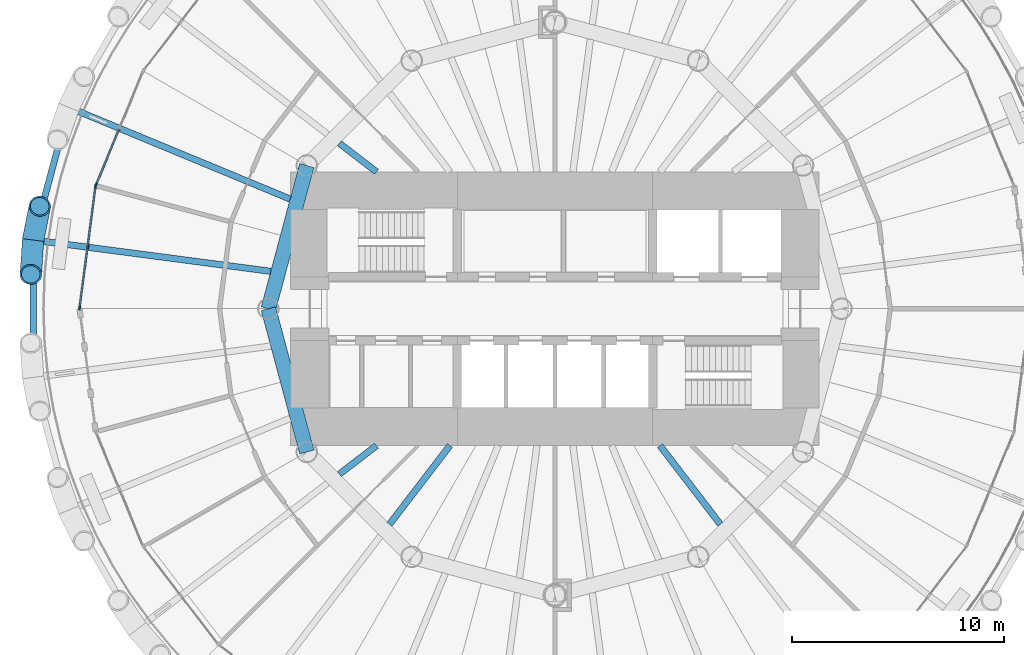
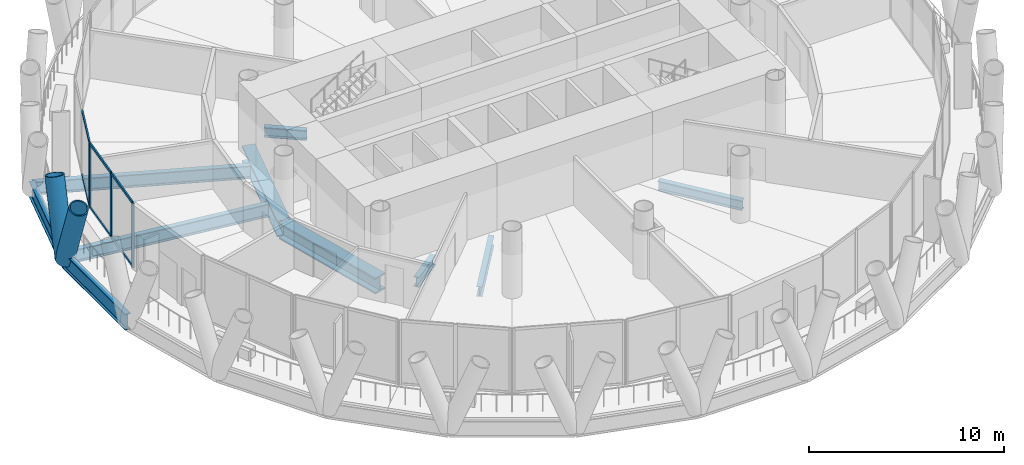
# One storey, part 3 of 14: 12 members, 10 beams, 2 elements without a shape of their own.
"""IFC4 building model written with IfcOpenShell, lengths in metres."""

from ifc_helpers import new_model, si_unit, direction, frame, origin, origin_2d, place, context, subcontext, project, spatial, rectangle, hollow_circle, i_section, extrude, material, material_profile, profile_set, type_object, element, aggregate, save


model = new_model("IFC4")

# Units and contexts
model_context = context("Model", 3, precision=1e-05, world=origin(), true_north=direction((0.0, 1.0)))
body_context = subcontext(model_context, "Body", "Model", "MODEL_VIEW")
ifc_project = project(units=[si_unit("LENGTHUNIT", "METRE"), si_unit("AREAUNIT", "SQUARE_METRE"), si_unit("VOLUMEUNIT", "CUBIC_METRE"), si_unit("PLANEANGLEUNIT", "RADIAN"), si_unit("MASSUNIT", "GRAM", prefix="KILO")], contexts=[model_context])

# Site, building, storey
site_placement = place(None, origin())
site = spatial("IfcSite", under=ifc_project, at=site_placement, CompositionType="ELEMENT")
building_placement = place(site_placement, origin())
building = spatial("IfcBuilding", under=site, at=building_placement, Name="Qaws Media Tower", CompositionType="ELEMENT")
storey_placement = place(building_placement, frame((0.0, 0.0, 152.0)))
storey = spatial("IfcBuildingStorey", under=building, at=storey_placement, Name="L34", CompositionType="ELEMENT", Elevation=152.0)

# Curtain wall, member
ifc_material_1 = material(Name="Aluminium and clear glass", Category="aluminium")
curtain_wall_type = type_object("IfcCurtainWallType", Name="Unitised curtain wall CW-B", PredefinedType="NOTDEFINED", material=ifc_material_1)
curtain_wall_1_placement = place(storey_placement, origin())
curtain_wall_1 = element("IfcCurtainWall", 1, at=curtain_wall_1_placement, inside=storey, type_object=curtain_wall_type, Name="CWB curtain wall L34-11", PredefinedType="NOTDEFINED")
ifc_material_2 = material(Name="Aluminium mullion", Category="aluminium")
ifc_material_profile_1 = material_profile(ifc_material_2, rectangle(XDim=0.080078125, YDim=0.199951171875, at=origin_2d()), Name="80x200")
ifc_profile_set_1 = profile_set([ifc_material_profile_1], Name="Aluminium mullion")
member_type_1 = type_object("IfcMemberType", Name="Curtain wall mullion 80x200", PredefinedType="MULLION", material=ifc_profile_set_1)
member_1_placement = place(storey_placement, frame((38.378662109375, 55.83447265625, 0.0), z_axis=(0.0, 0.0, 1.0), x_axis=(0.923879490353, -0.382683534144, 0.0)))
member_1 = element("IfcMember", 2, at=member_1_placement, type_object=member_type_1, Name="CWB mullion 3", PredefinedType="MULLION", context=body_context, shape_type="SweptSolid", body=[
    extrude(rectangle(XDim=0.080078125, YDim=0.199951171875, at=origin_2d()), origin(), (0.0, 0.0, 1.0), 4.0400390625),
])

# Curtain wall, members
curtain_wall_2_placement = place(storey_placement, origin())
curtain_wall_2 = element("IfcCurtainWall", 3, at=curtain_wall_2_placement, inside=storey, type_object=curtain_wall_type, Name="CWB curtain wall L34-12", PredefinedType="NOTDEFINED")
member_2_placement = place(storey_placement, frame((38.358154296875, 55.7578125, 0.0), z_axis=(0.0, 0.0, 1.0), x_axis=(0.991444873377, -0.130526101045, 0.0)))
member_2 = element("IfcMember", 4, at=member_2_placement, type_object=member_type_1, Name="CWB mullion 1", PredefinedType="MULLION", context=body_context, shape_type="SweptSolid", body=[
    extrude(rectangle(XDim=0.080078125, YDim=0.199951171875, at=origin_2d()), origin(), (0.0, 0.0, 1.0), 4.0400390625),
])
member_3_placement = place(storey_placement, frame((37.981689453125, 52.898681640625, 0.0), z_axis=(0.0, 0.0, 1.0), x_axis=(0.991444873377, -0.130526101045, 0.0)))
member_3 = element("IfcMember", 5, at=member_3_placement, type_object=member_type_1, Name="CWB mullion 2", PredefinedType="MULLION", context=body_context, shape_type="SweptSolid", body=[
    extrude(rectangle(XDim=0.080078125, YDim=0.199951171875, at=origin_2d()), origin(), (0.0, 0.0, 1.0), 4.0400390625),
])
member_4_placement = place(storey_placement, frame((37.605224609375, 50.03955078125, 0.0), z_axis=(0.0, 0.0, 1.0), x_axis=(0.991444873377, -0.130526101045, 0.0)))
member_4 = element("IfcMember", 6, at=member_4_placement, type_object=member_type_1, Name="CWB mullion 3", PredefinedType="MULLION", context=body_context, shape_type="SweptSolid", body=[
    extrude(rectangle(XDim=0.080078125, YDim=0.199951171875, at=origin_2d()), origin(), (0.0, 0.0, 1.0), 4.0400390625),
])

# Member
ifc_material_3 = material(Name="Aluminium transom", Category="aluminium")
ifc_material_profile_2 = material_profile(ifc_material_3, rectangle(XDim=0.080078125, YDim=0.159912109375, at=origin_2d()), Name="80x160")
ifc_profile_set_2 = profile_set([ifc_material_profile_2], Name="Aluminium transom")
member_type_2 = type_object("IfcMemberType", Name="Curtain wall transom 80x160", PredefinedType="USERDEFINED", material=ifc_profile_set_2)
member_5_placement = place(storey_placement, frame((39.466796875, 58.4619140625, 0.0400390625), z_axis=(-0.382667074186, -0.923886308121, 0.0), x_axis=(0.923886308121, -0.382667074186, 0.0)))
member_5 = element("IfcMember", 7, at=member_5_placement, type_object=member_type_2, Name="CWB transom 2.1", ObjectType="TRANSOM", PredefinedType="USERDEFINED", context=body_context, shape_type="SweptSolid", body=[
    extrude(rectangle(XDim=0.080078125, YDim=0.159912109375, at=origin_2d()), origin(), (0.0, 0.0, 1.0), 2.803955078125),
])

member_6_placement = place(storey_placement, frame((39.466796875, 58.4619140625, 4.0), z_axis=(-0.382667074186, -0.923886308121, 0.0), x_axis=(0.923886308121, -0.382667074186, 0.0)))
member_6 = element("IfcMember", 8, at=member_6_placement, type_object=member_type_2, Name="CWB transom 2.2", ObjectType="TRANSOM", PredefinedType="USERDEFINED", context=body_context, shape_type="SweptSolid", body=[
    extrude(rectangle(XDim=0.080078125, YDim=0.159912109375, at=origin_2d()), origin(), (0.0, 0.0, 1.0), 2.803955078125),
])

aggregate(curtain_wall_1, [member_1, member_5, member_6])

member_7_placement = place(storey_placement, frame((38.352783203125, 55.71826171875, 0.0400390625), z_axis=(-0.130526591291, -0.991444808835, 0.0), x_axis=(0.991444808835, -0.130526591291, 0.0)))
member_7 = element("IfcMember", 9, at=member_7_placement, type_object=member_type_2, Name="CWB transom 1.1", ObjectType="TRANSOM", PredefinedType="USERDEFINED", context=body_context, shape_type="SweptSolid", body=[
    extrude(rectangle(XDim=0.080078125, YDim=0.159912109375, at=origin_2d()), origin(), (0.0, 0.0, 1.0), 2.8037109375),
])

member_8_placement = place(storey_placement, frame((38.352783203125, 55.71826171875, 4.0), z_axis=(-0.130526591291, -0.991444808835, 0.0), x_axis=(0.991444808835, -0.130526591291, 0.0)))
member_8 = element("IfcMember", 10, at=member_8_placement, type_object=member_type_2, Name="CWB transom 1.2", ObjectType="TRANSOM", PredefinedType="USERDEFINED", context=body_context, shape_type="SweptSolid", body=[
    extrude(rectangle(XDim=0.080078125, YDim=0.159912109375, at=origin_2d()), origin(), (0.0, 0.0, 1.0), 2.8037109375),
])

member_9_placement = place(storey_placement, frame((37.976318359375, 52.859130859375, 0.0400390625), z_axis=(-0.130526591291, -0.991444808835, 0.0), x_axis=(0.991444808835, -0.130526591291, 0.0)))
member_9 = element("IfcMember", 11, at=member_9_placement, type_object=member_type_2, Name="CWB transom 2.1", ObjectType="TRANSOM", PredefinedType="USERDEFINED", context=body_context, shape_type="SweptSolid", body=[
    extrude(rectangle(XDim=0.080078125, YDim=0.159912109375, at=origin_2d()), origin(), (0.0, 0.0, 1.0), 2.8037109375),
])

member_10_placement = place(storey_placement, frame((37.976318359375, 52.859130859375, 4.0), z_axis=(-0.130526591291, -0.991444808835, 0.0), x_axis=(0.991444808835, -0.130526591291, 0.0)))
member_10 = element("IfcMember", 12, at=member_10_placement, type_object=member_type_2, Name="CWB transom 2.2", ObjectType="TRANSOM", PredefinedType="USERDEFINED", context=body_context, shape_type="SweptSolid", body=[
    extrude(rectangle(XDim=0.080078125, YDim=0.159912109375, at=origin_2d()), origin(), (0.0, 0.0, 1.0), 2.8037109375),
])

aggregate(curtain_wall_2, [member_2, member_3, member_4, member_7, member_8, member_9, member_10])

# Members
ifc_material_4 = material(Name="Steel S460", Category="steel")
ifc_material_profile_3 = material_profile(ifc_material_4, hollow_circle(Radius=0.508056640625, WallThickness=0.070068359375, at=origin_2d()), Name="CHS 1016x70")
ifc_profile_set_3 = profile_set([ifc_material_profile_3], Name="Steel S460")
member_type_3 = type_object("IfcMemberType", Name="Diagrid member CHS 1016x70", PredefinedType="USERDEFINED", material=ifc_profile_set_3)
for number, where, z_axis, x_axis, name in (
    (13, (35.412109375, 53.237060546875, -0.6640625), (-0.024238889861, -0.359462194382, 0.932844792572), (0.997734254857, -0.067278203639, 0.0), "DG3 diagrid L34 A12"),
    (14, (35.412109375, 53.237060546875, -0.6640625), (0.069626876217, 0.353448581919, 0.93285915231), (-0.981143948229, 0.193278433496, 0.0), "DG3 diagrid L34 B12"),
):
    element("IfcMember", number, at=place(storey_placement, frame(where, z_axis=z_axis, x_axis=x_axis)), inside=storey, type_object=member_type_3, Name=name, ObjectType="DIAGRID", PredefinedType="USERDEFINED", context=body_context, shape_type="SweptSolid", body=[
        extrude(hollow_circle(Radius=0.508056640625, WallThickness=0.070068359375, at=origin_2d()), origin(), (0.0, 0.0, 1.0), 4.502197265625),
    ])

# Beams
ifc_material_5 = material(Name="Steel S460", Category="steel")
ifc_material_profile_4 = material_profile(ifc_material_5, i_section(OverallWidth=0.302001953125, OverallDepth=1.008056640625, WebThickness=0.02099609375, FlangeThickness=0.0400390625, FilletRadius=0.030029296875, at=origin_2d()), Name="HE 1000 M")
ifc_profile_set_4 = profile_set([ifc_material_profile_4], Name="Steel S460")
beam_type_1 = type_object("IfcBeamType", Name="Edge ring beam HE 1000 M", PredefinedType="BEAM", material=ifc_profile_set_4)
for number, where, z_axis, x_axis, name in (
    (15, (37.087890625, 59.490478515625, -0.6640625), (-0.258845411707, -0.965918760993, 0.0), (0.965918760993, -0.258845411707, 0.0), "RB3 edge ring beam L34-11"),
    (16, (35.412109375, 53.237060546875, -0.6640625), (0.0, -1.0, 0.0), (1.0, 0.0, 0.0), "RB3 edge ring beam L34-12"),
):
    element("IfcBeam", number, at=place(storey_placement, frame(where, z_axis=z_axis, x_axis=x_axis)), inside=storey, type_object=beam_type_1, Name=name, PredefinedType="BEAM", context=body_context, shape_type="SweptSolid", body=[
        extrude(i_section(OverallWidth=0.302001953125, OverallDepth=1.008056640625, WebThickness=0.02099609375, FlangeThickness=0.0400390625, FilletRadius=0.030029296875, at=origin_2d()), origin(), (0.0, 0.0, 1.0), 6.47412109375),
    ])
ifc_material_6 = material(Name="Steel S460", Category="steel")
ifc_material_profile_5 = material_profile(ifc_material_6, i_section(OverallWidth=0.699951171875, OverallDepth=1.0, WebThickness=0.034912109375, FlangeThickness=0.090087890625, at=origin_2d()), Name="PG 1000x700")
ifc_profile_set_5 = profile_set([ifc_material_profile_5], Name="Steel S460")
beam_type_2 = type_object("IfcBeamType", Name="Inner ring girder PG 1000x700", PredefinedType="BEAM", material=ifc_profile_set_5)
for number, where, z_axis, x_axis, name in (
    (17, (48.30859375, 56.75, -0.659912109375), (-0.258810593767, -0.965928090778, 0.0), (0.965928090778, -0.258810593767, 0.0), "B3 inner ring beam L34 I06-I07"),
    (18, (46.5, 50.0, -0.659912109375), (0.258810593767, -0.965928090778, 0.0), (0.965928090778, 0.258810593767, 0.0), "B3 inner ring beam L34 I07-I08"),
):
    element("IfcBeam", number, at=place(storey_placement, frame(where, z_axis=z_axis, x_axis=x_axis)), inside=storey, type_object=beam_type_2, Name=name, PredefinedType="BEAM", context=body_context, shape_type="SweptSolid", body=[
        extrude(i_section(OverallWidth=0.699951171875, OverallDepth=1.0, WebThickness=0.034912109375, FlangeThickness=0.090087890625, at=origin_2d()), origin(), (0.0, 0.0, 1.0), 6.988037109375),
    ])
ifc_material_7 = material(Name="Steel S355", Category="steel")
ifc_material_profile_6 = material_profile(ifc_material_7, i_section(OverallWidth=0.304931640625, OverallDepth=0.6201171875, WebThickness=0.02099609375, FlangeThickness=0.0400390625, FilletRadius=0.027099609375, at=origin_2d()), Name="HE 600 M")
ifc_profile_set_6 = profile_set([ifc_material_profile_6], Name="Steel S355")
beam_type_3 = type_object("IfcBeamType", Name="Radial beam HE 600 M, core side", PredefinedType="BEAM", material=ifc_profile_set_6)
for number, where, z_axis, x_axis, name in (
    (19, (51.59423828125, 56.449951171875, -0.469970703125), (-0.793372769304, 0.608736107789, 0.0), (-0.608736107789, -0.793372769304, 0.0), "B2 radial beam L34 10"),
    (20, (51.59423828125, 43.550048828125, -0.469970703125), (-0.793372769304, -0.608736107789, 0.0), (0.608736107789, -0.793372769304, 0.0), "B2 radial beam L34 15"),
):
    element("IfcBeam", number, at=place(storey_placement, frame(where, z_axis=z_axis, x_axis=x_axis)), inside=storey, type_object=beam_type_3, Name=name, PredefinedType="BEAM", context=body_context, shape_type="SweptSolid", body=[
        extrude(i_section(OverallWidth=0.304931640625, OverallDepth=0.6201171875, WebThickness=0.02099609375, FlangeThickness=0.0400390625, FilletRadius=0.027099609375, at=origin_2d()), origin(), (0.0, 0.0, 1.0), 2.204345703125),
    ])
for number, where, z_axis, x_axis, name in (
    (21, (55.05078125, 43.550048828125, -0.469970703125), (-0.608747616782, -0.793363938594, 0.0), (0.793363938594, -0.608747616782, 0.0), "B2 radial beam L34 16"),
    (22, (64.94921875, 43.550048828125, -0.469970703125), (0.608747616782, -0.793363938594, 0.0), (0.793363938594, 0.608747616782, 0.0), "B2 radial beam L34 21"),
):
    element("IfcBeam", number, at=place(storey_placement, frame(where, z_axis=z_axis, x_axis=x_axis)), inside=storey, type_object=beam_type_3, Name=name, PredefinedType="BEAM", context=body_context, shape_type="SweptSolid", body=[
        extrude(i_section(OverallWidth=0.304931640625, OverallDepth=0.6201171875, WebThickness=0.02099609375, FlangeThickness=0.0400390625, FilletRadius=0.027099609375, at=origin_2d()), origin(), (0.0, 0.0, 1.0), 4.66943359375),
    ])
ifc_material_8 = material(Name="Steel S355", Category="steel")
ifc_material_profile_7 = material_profile(ifc_material_8, i_section(OverallWidth=0.300048828125, OverallDepth=0.800048828125, WebThickness=0.017578125, FlangeThickness=0.032958984375, FilletRadius=0.030029296875, at=origin_2d()), Name="HE 800 B")
ifc_profile_set_7 = profile_set([ifc_material_profile_7], Name="Steel S355")
beam_type_4 = type_object("IfcBeamType", Name="Radial beam HE 800 B", PredefinedType="BEAM", material=ifc_profile_set_7)
beam_1_placement = place(storey_placement, frame((47.5224609375, 55.16845703125, -0.56005859375), z_axis=(-0.923883259395, 0.382674434747, 0.0), x_axis=(-0.382674434747, -0.923883259395, 0.0)))
element("IfcBeam", 23, at=beam_1_placement, inside=storey, type_object=beam_type_4, Name="B1 radial beam L34 11", PredefinedType="BEAM", context=body_context, shape_type="SweptSolid", body=[
    extrude(i_section(OverallWidth=0.300048828125, OverallDepth=0.800048828125, WebThickness=0.017578125, FlangeThickness=0.032958984375, FilletRadius=0.030029296875, at=origin_2d()), origin(), (0.0, 0.0, 1.0), 11.294189453125),
])
beam_2_placement = place(storey_placement, frame((46.610107421875, 51.762939453125, -0.56005859375), z_axis=(-0.991446274238, 0.130515460001, 0.0), x_axis=(-0.130515460001, -0.991446274238, 0.0)))
element("IfcBeam", 24, at=beam_2_placement, inside=storey, type_object=beam_type_4, Name="B1 radial beam L34 12", PredefinedType="BEAM", context=body_context, shape_type="SweptSolid", body=[
    extrude(i_section(OverallWidth=0.300048828125, OverallDepth=0.800048828125, WebThickness=0.017578125, FlangeThickness=0.032958984375, FilletRadius=0.030029296875, at=origin_2d()), origin(), (0.0, 0.0, 1.0), 11.294677734375),
])

save(model, "model.ifc")
